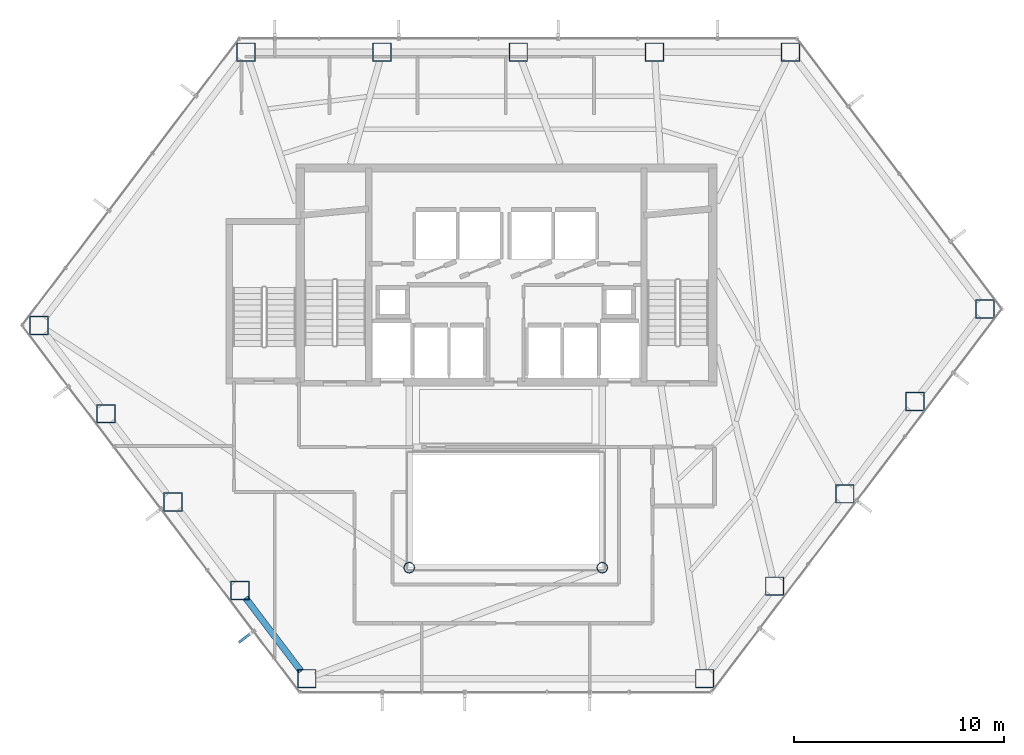
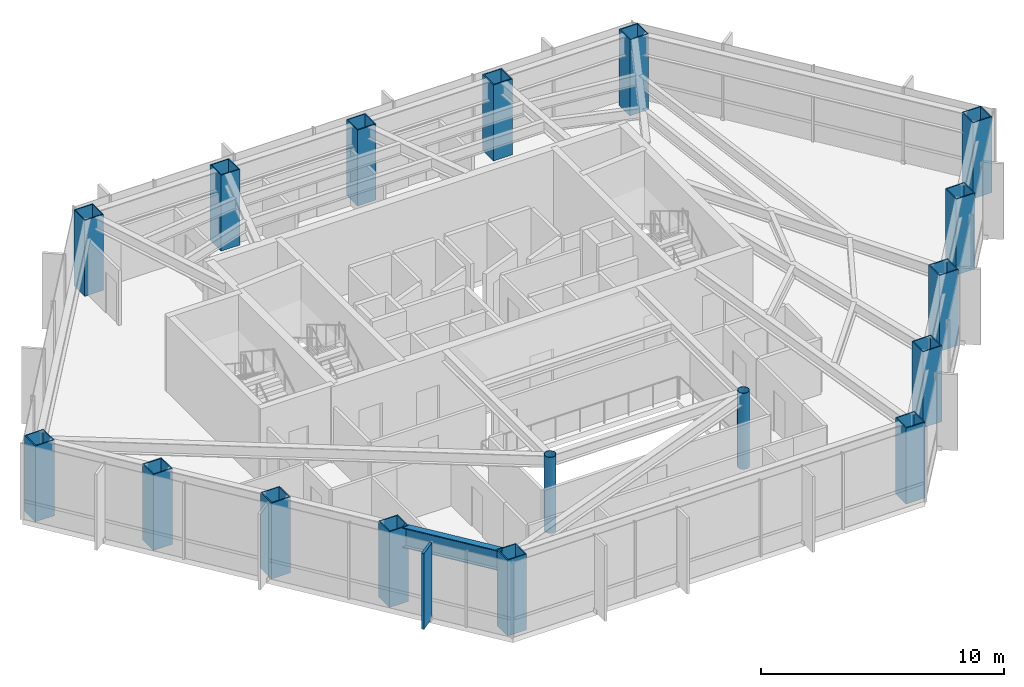
# One storey, part 1 of 25: 17 columns, 1 beam, 1 member, 1 element without a shape of its own.
"""IFC4 building model written with IfcOpenShell, lengths in metres."""

from ifc_helpers import new_model, si_unit, direction, frame, origin, origin_2d, place, context, subcontext, project, spatial, rectangle, hollow_rectangle, hollow_circle, i_section, extrude, material, layer, layer_set, material_profile, profile_set, type_object, element, aggregate, save


model = new_model("IFC4")

# Units and contexts
model_context = context("Model", 3, precision=1e-05, world=origin(), true_north=direction((0.0, 1.0)))
body_context = subcontext(model_context, "Body", "Model", "MODEL_VIEW")
ifc_project = project(units=[si_unit("LENGTHUNIT", "METRE"), si_unit("AREAUNIT", "SQUARE_METRE"), si_unit("VOLUMEUNIT", "CUBIC_METRE"), si_unit("PLANEANGLEUNIT", "RADIAN"), si_unit("MASSUNIT", "GRAM", prefix="KILO")], contexts=[model_context])

# Site, building, storey
site_placement = place(None, origin())
site = spatial("IfcSite", under=ifc_project, at=site_placement, CompositionType="ELEMENT")
building_placement = place(site_placement, origin())
building = spatial("IfcBuilding", under=site, at=building_placement, Name="Zarrinselat Tower", CompositionType="ELEMENT")
storey_placement = place(building_placement, frame((0.0, 0.0, 84.659912109375)))
storey = spatial("IfcBuildingStorey", under=building, at=storey_placement, Name="L20", CompositionType="ELEMENT", Elevation=84.659912109375)

# Columns
ifc_material_1 = material(Name="Steel S355J2", Category="steel")
ifc_material_profile_1 = material_profile(ifc_material_1, hollow_circle(Radius=0.25390625, WallThickness=0.02001953125, at=origin_2d()), Name="CHS 508x20")
ifc_profile_set_1 = profile_set([ifc_material_profile_1], Name="Steel S355J2")
column_type_1 = type_object("IfcColumnType", Name="COL-CHS508", PredefinedType="COLUMN", material=ifc_profile_set_1)
for number, where, z_axis, x_axis, name in (
    (1, (33.800048828125, 24.39990234375, 0.0), (0.0, 0.0, 1.0), (1.0, 0.0, 0.0), "L20 Atrium Corner Column 1"),
    (2, (43.0, 24.39990234375, 0.0), (0.0, 0.0, 1.0), (1.0, 0.0, 0.0), "L20 Atrium Corner Column 2"),
):
    element("IfcColumn", number, at=place(storey_placement, frame(where, z_axis=z_axis, x_axis=x_axis)), inside=storey, type_object=column_type_1, Name=name, PredefinedType="COLUMN", context=body_context, shape_type="SweptSolid", body=[
        extrude(hollow_circle(Radius=0.25390625, WallThickness=0.02001953125, at=origin_2d()), origin(), (0.0, 0.0, 1.0), 3.820068359375),
    ])
ifc_material_2 = material(Name="Steel S460M", Category="steel")
ifc_material_profile_2 = material_profile(ifc_material_2, hollow_rectangle(XDim=0.89990234375, YDim=0.89990234375, WallThickness=0.044921875, at=origin_2d()), Name="SHS 900x900x45")
ifc_profile_set_2 = profile_set([ifc_material_profile_2], Name="Steel S460M")
column_type_2 = type_object("IfcColumnType", Name="COL-SHS900", PredefinedType="COLUMN", material=ifc_profile_set_2)
for number, where, z_axis, x_axis, name in (
    (3, (51.968505859375, 48.966796875, 0.0), (0.0, 0.0, 1.0), (1.0, 0.0, 0.0), "L20 Framed-Tube Column T01"),
    (4, (45.483154296875, 48.966796875, 0.0), (0.0, 0.0, 1.0), (1.0, 0.0, 0.0), "L20 Framed-Tube Column T02"),
    (5, (38.998046875, 48.966796875, 0.0), (0.0, 0.0, 1.0), (1.0, 0.0, 0.0), "L20 Framed-Tube Column T03"),
    (6, (32.5126953125, 48.966796875, 0.0), (0.0, 0.0, 1.0), (1.0, 0.0, 0.0), "L20 Framed-Tube Column T04"),
    (7, (26.027587890625, 48.966796875, 0.0), (0.0, 0.0, 1.0), (1.0, 0.0, 0.0), "L20 Framed-Tube Column T05"),
    (8, (16.1630859375, 35.94580078125, 0.0), (0.0, 0.0, 1.0), (1.0, 0.0, 0.0), "L20 Framed-Tube Column T06"),
    (9, (19.351806640625, 31.73681640625, 0.0), (0.0, 0.0, 1.0), (1.0, 0.0, 0.0), "L20 Framed-Tube Column T07"),
    (10, (22.540283203125, 27.52783203125, 0.0), (0.0, 0.0, 1.0), (1.0, 0.0, 0.0), "L20 Framed-Tube Column T08"),
    (11, (25.72900390625, 23.31884765625, 0.0), (0.0, 0.0, 1.0), (1.0, 0.0, 0.0), "L20 Framed-Tube Column T09"),
    (12, (28.91748046875, 19.110107421875, 0.0), (0.0, 0.0, 1.0), (1.0, 0.0, 0.0), "L20 Framed-Tube Column T10"),
    (13, (47.882568359375, 19.110107421875, 0.0), (0.0, 0.0, 1.0), (1.0, 0.0, 0.0), "L20 Framed-Tube Column T11"),
    (14, (51.220703125, 23.516357421875, 0.0), (0.0, 0.0, 1.0), (1.0, 0.0, 0.0), "L20 Framed-Tube Column T12"),
    (15, (54.55859375, 27.922607421875, 0.0), (0.0, 0.0, 1.0), (1.0, 0.0, 0.0), "L20 Framed-Tube Column T13"),
    (16, (57.896728515625, 32.328857421875, 0.0), (0.0, 0.0, 1.0), (1.0, 0.0, 0.0), "L20 Framed-Tube Column T14"),
    (17, (61.23486328125, 36.735107421875, 0.0), (0.0, 0.0, 1.0), (1.0, 0.0, 0.0), "L20 Framed-Tube Column T15"),
):
    element("IfcColumn", number, at=place(storey_placement, frame(where, z_axis=z_axis, x_axis=x_axis)), inside=storey, type_object=column_type_2, Name=name, PredefinedType="COLUMN", context=body_context, shape_type="SweptSolid", body=[
        extrude(hollow_rectangle(XDim=0.89990234375, YDim=0.89990234375, WallThickness=0.044921875, at=origin_2d()), origin(), (0.0, 0.0, 1.0), 3.820068359375),
    ])

# Beam
ifc_material_3 = material(Name="Steel S460M", Category="steel")
ifc_material_profile_3 = material_profile(ifc_material_3, i_section(OverallWidth=0.302001953125, OverallDepth=1.008056640625, WebThickness=0.02099609375, FlangeThickness=0.0400390625, at=origin_2d()), Name="HEM 1000")
ifc_profile_set_3 = profile_set([ifc_material_profile_3], Name="Steel S460M")
beam_type = type_object("IfcBeamType", Name="BM-HEM1000", PredefinedType="BEAM", material=ifc_profile_set_3)
beam_placement = place(storey_placement, frame((25.993408203125, 22.9697265625, 3.316162109375), z_axis=(0.603824602706, -0.797117211687, 0.0), x_axis=(0.797117211687, 0.603824602706, 0.0)))
element("IfcBeam", 18, at=beam_placement, inside=storey, type_object=beam_type, Name="L20 Perimeter Spandrel Girder SP09", PredefinedType="BEAM", context=body_context, shape_type="SweptSolid", body=[
    extrude(i_section(OverallWidth=0.302001953125, OverallDepth=1.008056640625, WebThickness=0.02099609375, FlangeThickness=0.0400390625, at=origin_2d()), origin(), (0.0, 0.0, 1.0), 4.404296875),
])

# Curtain wall, member
ifc_material_4 = material(Name="Extruded Aluminium Alloy EN AW-6063 T6", Category="aluminium")
ifc_layer = layer(ifc_material_4, 0.18505859375)
ifc_layer_set = layer_set([ifc_layer], Name="Extruded Aluminium Alloy EN AW-6063 T6")
curtain_wall_type = type_object("IfcCurtainWallType", Name="CWS-OFF", PredefinedType="NOTDEFINED", material=ifc_layer_set)
curtain_wall_placement = place(storey_placement, origin())
curtain_wall = element("IfcCurtainWall", 19, at=curtain_wall_placement, inside=storey, type_object=curtain_wall_type, Name="L20 Unitised Curtain Wall CW-L20-E03", PredefinedType="NOTDEFINED")
ifc_material_5 = material(Name="Honed Cream Travertine Stone", Category="masonry")
ifc_material_profile_4 = material_profile(ifc_material_5, rectangle(XDim=0.1201171875, YDim=0.85009765625, at=origin_2d()), Name="FIN 850x120")
ifc_profile_set_4 = profile_set([ifc_material_profile_4], Name="Honed Cream Travertine Stone")
member_type = type_object("IfcMemberType", Name="MEM-STONE-FIN", PredefinedType="USERDEFINED", material=ifc_profile_set_4)
member_placement = place(storey_placement, frame((26.02001953125, 21.096435546875, 0.0), z_axis=(0.0, 0.0, 1.0), x_axis=(-0.603856459269, 0.797093079006, 0.0)))
member = element("IfcMember", 20, at=member_placement, type_object=member_type, Name="L20 Stone Shading Fin CW-L20-E03-05", ObjectType="FIN", PredefinedType="USERDEFINED", context=body_context, shape_type="SweptSolid", body=[
    extrude(rectangle(XDim=0.1201171875, YDim=0.85009765625, at=origin_2d()), origin(), (0.0, 0.0, 1.0), 3.820068359375),
])
aggregate(curtain_wall, [member])

save(model, "model.ifc")
